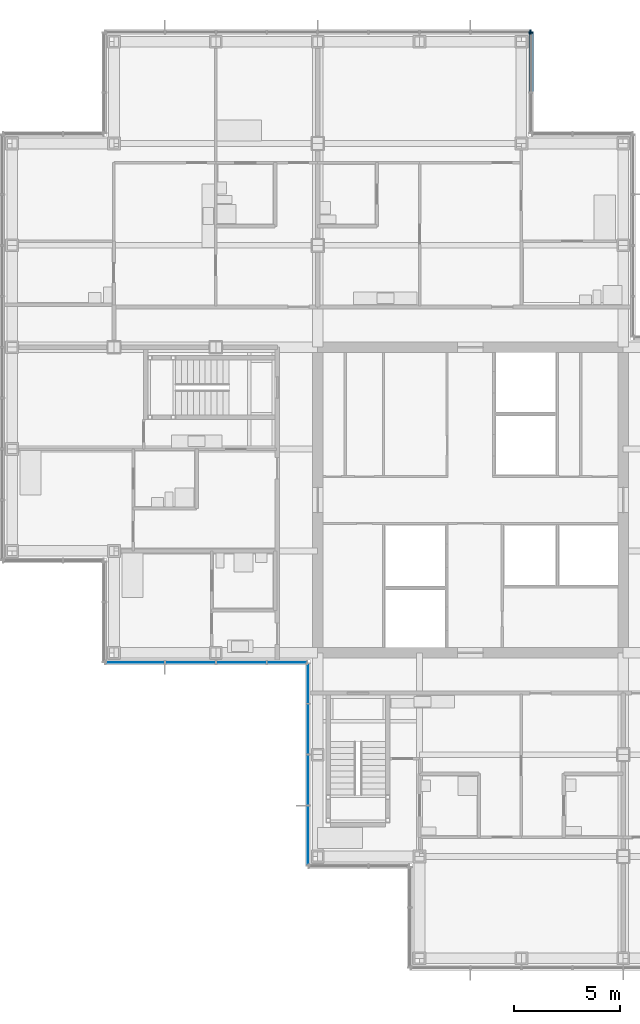
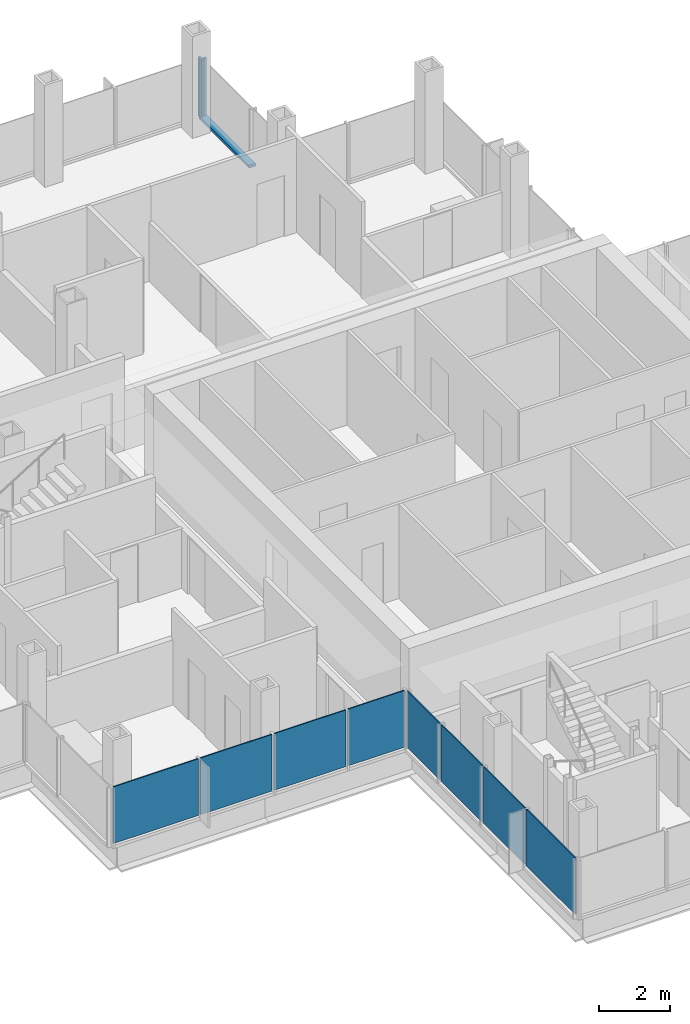
# One storey, part 11 of 20: 8 plates, 3 members, 4 elements without a shape of their own.
"""IFC4 building model written with IfcOpenShell, lengths in metres."""

from ifc_helpers import new_model, si_unit, direction, frame, origin, origin_2d, place, context, subcontext, project, spatial, rectangle, extrude, material, layer, layer_set, material_profile, profile_set, type_object, element, aggregate, save


model = new_model("IFC4")

# Units and contexts
model_context = context("Model", 3, precision=1e-05, world=origin(), true_north=direction((0.0, 1.0)))
body_context = subcontext(model_context, "Body", "Model", "MODEL_VIEW")
ifc_project = project(units=[si_unit("LENGTHUNIT", "METRE"), si_unit("AREAUNIT", "SQUARE_METRE"), si_unit("VOLUMEUNIT", "CUBIC_METRE"), si_unit("PLANEANGLEUNIT", "RADIAN"), si_unit("MASSUNIT", "GRAM", prefix="KILO")], contexts=[model_context])

# Site, building, storey
site_placement = place(None, origin())
site = spatial("IfcSite", under=ifc_project, at=site_placement, CompositionType="ELEMENT")
building_placement = place(site_placement, origin())
building = spatial("IfcBuilding", under=site, at=building_placement, Name="Kvirike Care Tower", CompositionType="ELEMENT")
storey_placement = place(building_placement, frame((0.0, 0.0, 133.0)))
storey = spatial("IfcBuildingStorey", under=building, at=storey_placement, Name="L36", CompositionType="ELEMENT", Elevation=133.0)

# Curtain wall, member
ifc_material_1 = material(Name="Anodised aluminium stick system", Category="aluminium")
curtain_wall_type = type_object("IfcCurtainWallType", Name="CW-B STICK CURTAIN WALL", PredefinedType="NOTDEFINED", material=ifc_material_1)
curtain_wall_1_placement = place(storey_placement, origin())
curtain_wall_1 = element("IfcCurtainWall", 1, at=curtain_wall_1_placement, inside=storey, type_object=curtain_wall_type, Name="Curtain wall L36 face 7", PredefinedType="NOTDEFINED")
ifc_material_2 = material(Name="Bronze anodised aluminium mullion", Category="aluminium")
ifc_material_profile_1 = material_profile(ifc_material_2, rectangle(XDim=0.06494140625, YDim=0.219970703125, at=origin_2d()), Name="CW-B MULLION 65x220")
ifc_profile_set_1 = profile_set([ifc_material_profile_1], Name="Bronze anodised aluminium mullion")
member_type_1 = type_object("IfcMemberType", Name="CW-B MULLION 65x220", PredefinedType="MULLION", material=ifc_profile_set_1)
member_1_placement = place(storey_placement, frame((24.4599609375, 58.027587890625, 0.0), z_axis=(0.0, 0.0, 1.0), x_axis=(0.0, 1.0, 0.0)))
member_1 = element("IfcMember", 2, at=member_1_placement, type_object=member_type_1, Name="CW-B mullion L36 face 7.3", PredefinedType="MULLION", context=body_context, shape_type="SweptSolid", body=[
    extrude(rectangle(XDim=0.06494140625, YDim=0.219970703125, at=origin_2d()), origin(), (0.0, 0.0, 1.0), 2.050048828125),
])

curtain_wall_2_placement = place(storey_placement, origin())
curtain_wall_2 = element("IfcCurtainWall", 3, at=curtain_wall_2_placement, inside=storey, type_object=curtain_wall_type, Name="Curtain wall L36 face 8", PredefinedType="NOTDEFINED")
member_2_placement = place(storey_placement, frame((24.427490234375, 58.06005859375, 0.0), z_axis=(0.0, 0.0, 1.0), x_axis=(-1.0, 0.0, 0.0)))
member_2 = element("IfcMember", 4, at=member_2_placement, type_object=member_type_1, Name="CW-B mullion L36 face 8.1", PredefinedType="MULLION", context=body_context, shape_type="SweptSolid", body=[
    extrude(rectangle(XDim=0.06494140625, YDim=0.219970703125, at=origin_2d()), origin(), (0.0, 0.0, 1.0), 2.050048828125),
])
aggregate(curtain_wall_2, [member_2])

# Member
ifc_material_3 = material(Name="Bronze anodised aluminium transom", Category="aluminium")
ifc_material_profile_2 = material_profile(ifc_material_3, rectangle(XDim=0.219970703125, YDim=0.10009765625, at=origin_2d()), Name="CW-B TRANSOM 220x100")
ifc_profile_set_2 = profile_set([ifc_material_profile_2], Name="Bronze anodised aluminium transom")
member_type_2 = type_object("IfcMemberType", Name="CW-B TRANSOM 220x100", PredefinedType="USERDEFINED", material=ifc_profile_set_2)
member_3_placement = place(storey_placement, frame((24.4599609375, 55.232421875, 0.050048828125), z_axis=(0.0, 1.0, 0.0), x_axis=(-1.0, 0.0, 0.0)))
member_3 = element("IfcMember", 5, at=member_3_placement, type_object=member_type_2, Name="CW-B sill transom L36 face 7.2", ObjectType="TRANSOM", PredefinedType="USERDEFINED", context=body_context, shape_type="SweptSolid", body=[
    extrude(rectangle(XDim=0.219970703125, YDim=0.10009765625, at=origin_2d()), origin(), (0.0, 0.0, 1.0), 2.7626953125),
])

aggregate(curtain_wall_1, [member_1, member_3])

# Curtain wall, plates
curtain_wall_3_placement = place(storey_placement, origin())
curtain_wall_3 = element("IfcCurtainWall", 6, at=curtain_wall_3_placement, inside=storey, type_object=curtain_wall_type, Name="Curtain wall L36 face 14", PredefinedType="NOTDEFINED")
ifc_material_4 = material(Name="Tinted double glazed unit", Category="glass")
ifc_layer = layer(ifc_material_4, 0.035888671875)
ifc_layer_set = layer_set([ifc_layer], Name="TINTED VISION PANEL 36")
plate_type = type_object("IfcPlateType", Name="TINTED VISION PANEL 36", PredefinedType="CURTAIN_PANEL", material=ifc_layer_set)
plate_1_placement = place(storey_placement, frame((5.7861328125, 28.340087890625, 0.10009765625), z_axis=(0.0, 0.0, 1.0), x_axis=(1.0, 0.0, 0.0)))
plate_1 = element("IfcPlate", 7, at=plate_1_placement, type_object=plate_type, Name="CW-B panel L36 face 14.1", PredefinedType="CURTAIN_PANEL", context=body_context, shape_type="SweptSolid", body=[
    extrude(rectangle(XDim=2.762451171875, YDim=0.035888671875, at=origin_2d()), origin(), (0.0, 0.0, 1.0), 1.949951171875),
])
plate_2_placement = place(storey_placement, frame((8.39990234375, 28.340087890625, 0.10009765625), z_axis=(0.0, 0.0, 1.0), x_axis=(1.0, 0.0, 0.0)))
plate_2 = element("IfcPlate", 8, at=plate_2_placement, type_object=plate_type, Name="CW-B panel L36 face 14.2", PredefinedType="CURTAIN_PANEL", context=body_context, shape_type="SweptSolid", body=[
    extrude(rectangle(XDim=2.3349609375, YDim=0.035888671875, at=origin_2d()), origin(), (0.0, 0.0, 1.0), 1.949951171875),
])
plate_3_placement = place(storey_placement, frame((10.800048828125, 28.340087890625, 0.10009765625), z_axis=(0.0, 0.0, 1.0), x_axis=(1.0, 0.0, 0.0)))
plate_3 = element("IfcPlate", 9, at=plate_3_placement, type_object=plate_type, Name="CW-B panel L36 face 14.3", PredefinedType="CURTAIN_PANEL", context=body_context, shape_type="SweptSolid", body=[
    extrude(rectangle(XDim=2.3349609375, YDim=0.035888671875, at=origin_2d()), origin(), (0.0, 0.0, 1.0), 1.949951171875),
])
plate_4_placement = place(storey_placement, frame((12.953857421875, 28.340087890625, 0.10009765625), z_axis=(0.0, 0.0, 1.0), x_axis=(1.0, 0.0, 0.0)))
plate_4 = element("IfcPlate", 10, at=plate_4_placement, type_object=plate_type, Name="CW-B panel L36 face 14.4", PredefinedType="CURTAIN_PANEL", context=body_context, shape_type="SweptSolid", body=[
    extrude(rectangle(XDim=1.842529296875, YDim=0.035888671875, at=origin_2d()), origin(), (0.0, 0.0, 1.0), 1.949951171875),
])
aggregate(curtain_wall_3, [plate_1, plate_2, plate_3, plate_4])

curtain_wall_4_placement = place(storey_placement, origin())
curtain_wall_4 = element("IfcCurtainWall", 11, at=curtain_wall_4_placement, inside=storey, type_object=curtain_wall_type, Name="Curtain wall L36 face 15", PredefinedType="NOTDEFINED")
plate_5_placement = place(storey_placement, frame((13.93994140625, 27.353759765625, 0.10009765625), z_axis=(0.0, 0.0, 1.0), x_axis=(0.0, -1.0, 0.0)))
plate_5 = element("IfcPlate", 12, at=plate_5_placement, type_object=plate_type, Name="CW-B panel L36 face 15.1", PredefinedType="CURTAIN_PANEL", context=body_context, shape_type="SweptSolid", body=[
    extrude(rectangle(XDim=1.842529296875, YDim=0.035888671875, at=origin_2d()), origin(), (0.0, 0.0, 1.0), 1.949951171875),
])
plate_6_placement = place(storey_placement, frame((13.93994140625, 25.199951171875, 0.10009765625), z_axis=(0.0, 0.0, 1.0), x_axis=(0.0, -1.0, 0.0)))
plate_6 = element("IfcPlate", 13, at=plate_6_placement, type_object=plate_type, Name="CW-B panel L36 face 15.2", PredefinedType="CURTAIN_PANEL", context=body_context, shape_type="SweptSolid", body=[
    extrude(rectangle(XDim=2.3349609375, YDim=0.035888671875, at=origin_2d()), origin(), (0.0, 0.0, 1.0), 1.949951171875),
])
plate_7_placement = place(storey_placement, frame((13.93994140625, 22.800048828125, 0.10009765625), z_axis=(0.0, 0.0, 1.0), x_axis=(0.0, -1.0, 0.0)))
plate_7 = element("IfcPlate", 14, at=plate_7_placement, type_object=plate_type, Name="CW-B panel L36 face 15.3", PredefinedType="CURTAIN_PANEL", context=body_context, shape_type="SweptSolid", body=[
    extrude(rectangle(XDim=2.3349609375, YDim=0.035888671875, at=origin_2d()), origin(), (0.0, 0.0, 1.0), 1.949951171875),
])
plate_8_placement = place(storey_placement, frame((13.93994140625, 20.186279296875, 0.10009765625), z_axis=(0.0, 0.0, 1.0), x_axis=(0.0, -1.0, 0.0)))
plate_8 = element("IfcPlate", 15, at=plate_8_placement, type_object=plate_type, Name="CW-B panel L36 face 15.4", PredefinedType="CURTAIN_PANEL", context=body_context, shape_type="SweptSolid", body=[
    extrude(rectangle(XDim=2.762451171875, YDim=0.035888671875, at=origin_2d()), origin(), (0.0, 0.0, 1.0), 1.949951171875),
])
aggregate(curtain_wall_4, [plate_5, plate_6, plate_7, plate_8])

save(model, "model.ifc")
